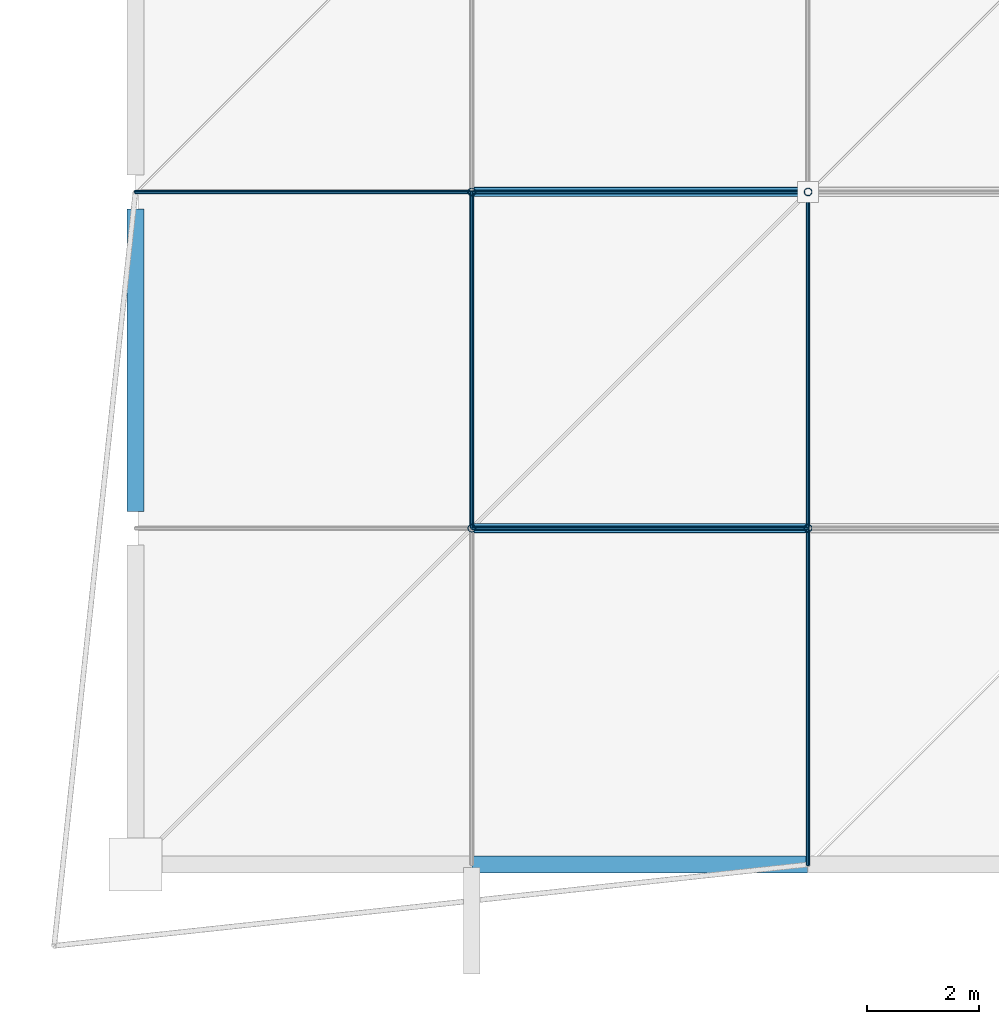
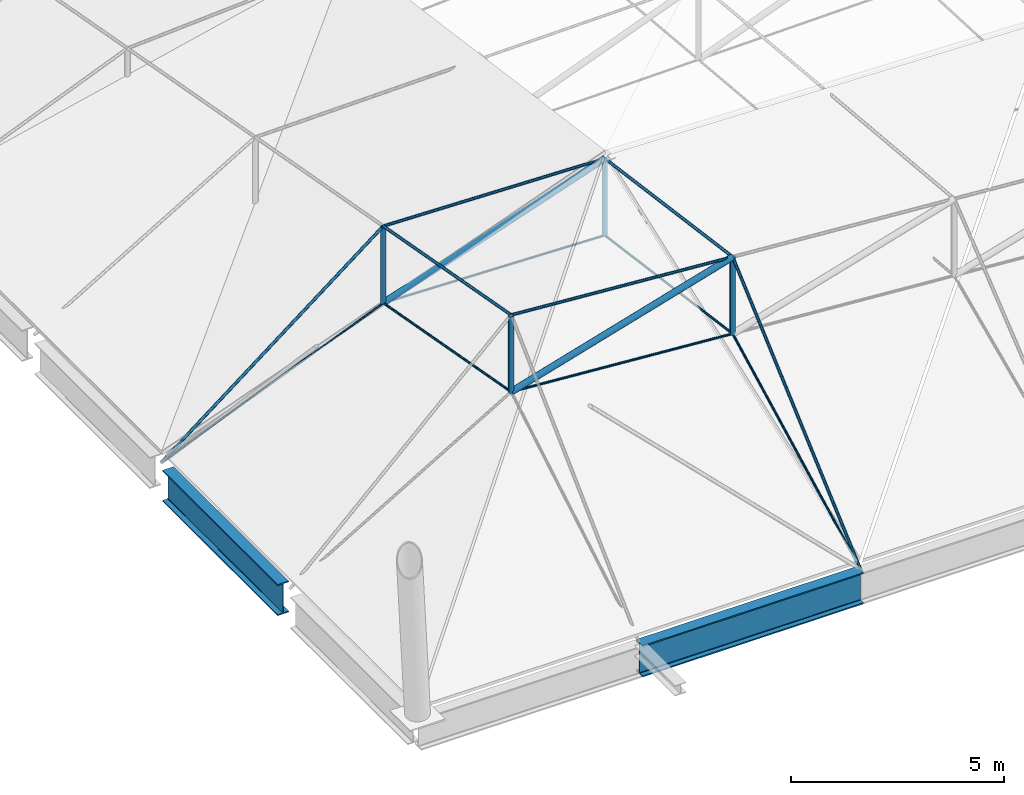
# One storey, part 20 of 132: 18 members, 2 beams.
"""IFC4 building model written with IfcOpenShell, lengths in metres."""

from ifc_helpers import new_model, si_unit, direction, frame, origin, origin_2d, place, context, subcontext, project, spatial, circle, hollow_circle, i_section, extrude, material, material_profile, profile_set, type_object, element, save


model = new_model("IFC4")

# Units and contexts
model_context = context("Model", 3, precision=1e-05, world=origin(), true_north=direction((0.0, 1.0)))
body_context = subcontext(model_context, "Body", "Model", "MODEL_VIEW")
ifc_project = project(units=[si_unit("LENGTHUNIT", "METRE"), si_unit("AREAUNIT", "SQUARE_METRE"), si_unit("VOLUMEUNIT", "CUBIC_METRE"), si_unit("PLANEANGLEUNIT", "RADIAN"), si_unit("MASSUNIT", "GRAM", prefix="KILO")], contexts=[model_context])

# Site, building, storey
site_placement = place(None, origin())
site = spatial("IfcSite", under=ifc_project, at=site_placement, CompositionType="ELEMENT")
building_placement = place(site_placement, origin())
building = spatial("IfcBuilding", under=site, at=building_placement, Name="Deido Ridge Mobility Hub", CompositionType="ELEMENT")
storey_placement = place(building_placement, frame((0.0, 0.0, 8.39990234375)))
storey = spatial("IfcBuildingStorey", under=building, at=storey_placement, Name="L02", CompositionType="ELEMENT", Elevation=8.39990234375)

# Beams
ifc_material_1 = material(Name="Steel S355J2 EN 10025-2", Category="steel")
ifc_material_profile_1 = material_profile(ifc_material_1, i_section(OverallWidth=0.300048828125, OverallDepth=0.89990234375, WebThickness=0.0185546875, FlangeThickness=0.034912109375, FilletRadius=0.027099609375, at=origin_2d()), Name="HEB 900")
ifc_profile_set_1 = profile_set([ifc_material_profile_1], Name="Steel S355J2 EN 10025-2")
beam_type = type_object("IfcBeamType", Name="BM-RING-HEB900", PredefinedType="USERDEFINED", material=ifc_profile_set_1)
beam_1_placement = place(storey_placement, frame((6.008056640625, 0.0, -0.449951171875), z_axis=(1.0, 0.0, 0.0), x_axis=(0.0, 1.0, 0.0)))
element("IfcBeam", 1, at=beam_1_placement, inside=storey, type_object=beam_type, Name="Compression ring beam RB1", ObjectType="RING BEAM", PredefinedType="USERDEFINED", context=body_context, shape_type="SweptSolid", body=[
    extrude(i_section(OverallWidth=0.300048828125, OverallDepth=0.89990234375, WebThickness=0.0185546875, FlangeThickness=0.034912109375, FilletRadius=0.027099609375, at=origin_2d()), origin(), (0.0, 0.0, 1.0), 5.98388671875),
])
beam_2_placement = place(storey_placement, frame((0.0, 6.300048828125, -0.449951171875), z_axis=(0.0, 1.0, 0.0), x_axis=(-1.0, 0.0, 0.0)))
element("IfcBeam", 2, at=beam_2_placement, inside=storey, type_object=beam_type, Name="Compression ring beam RB1", ObjectType="RING BEAM", PredefinedType="USERDEFINED", context=body_context, shape_type="SweptSolid", body=[
    extrude(i_section(OverallWidth=0.300048828125, OverallDepth=0.89990234375, WebThickness=0.0185546875, FlangeThickness=0.034912109375, FilletRadius=0.027099609375, at=origin_2d()), origin(), (0.0, 0.0, 1.0), 5.39990234375),
])

# Members
ifc_material_2 = material(Name="Steel S460M EN 10025-4", Category="steel")
ifc_material_profile_2 = material_profile(ifc_material_2, circle(Radius=0.030029296875, at=origin_2d()), Name="CABLE D60")
ifc_profile_set_2 = profile_set([ifc_material_profile_2], Name="Steel S460M EN 10025-4")
member_type_1 = type_object("IfcMemberType", Name="MEM-CBL-D60", PredefinedType="USERDEFINED", material=ifc_profile_set_2)
member_1_placement = place(storey_placement, frame((6.0, 6.0, 3.546875), z_axis=(0.997360957073, 0.0, -0.07260248829), x_axis=(0.0, 1.0, 0.0)))
element("IfcMember", 3, at=member_1_placement, inside=storey, type_object=member_type_1, Name="Saddle lower stabilizing cable CB3", ObjectType="TENSION CABLE", PredefinedType="USERDEFINED", context=body_context, shape_type="SweptSolid", body=[
    extrude(circle(Radius=0.030029296875, at=origin_2d()), origin(), (0.0, 0.0, 1.0), 6.015869140625),
])
member_2_placement = place(storey_placement, frame((0.0, 12.0, 0.0), z_axis=(0.925610537279, 0.0, 0.378477388066), x_axis=(0.0, 1.0, 0.0)))
element("IfcMember", 4, at=member_2_placement, inside=storey, type_object=member_type_1, Name="Saddle lower stabilizing cable CB3", ObjectType="TENSION CABLE", PredefinedType="USERDEFINED", context=body_context, shape_type="SweptSolid", body=[
    extrude(circle(Radius=0.030029296875, at=origin_2d()), origin(), (0.0, 0.0, 1.0), 6.482177734375),
])
member_3_placement = place(storey_placement, frame((6.0, 12.0, 2.453369140625), z_axis=(0.999629695867, 0.0, -0.027211599387), x_axis=(0.0, 1.0, 0.0)))
element("IfcMember", 5, at=member_3_placement, inside=storey, type_object=member_type_1, Name="Saddle lower stabilizing cable CB3", ObjectType="TENSION CABLE", PredefinedType="USERDEFINED", context=body_context, shape_type="SweptSolid", body=[
    extrude(circle(Radius=0.030029296875, at=origin_2d()), origin(), (0.0, 0.0, 1.0), 6.002197265625),
])
member_4_placement = place(storey_placement, frame((6.0, 6.0, 3.546875), z_axis=(0.0, 0.98379488627, -0.17929757876), x_axis=(-1.0, 0.0, 0.0)))
element("IfcMember", 6, at=member_4_placement, inside=storey, type_object=member_type_1, Name="Saddle transverse valley cable CB3", ObjectType="TENSION CABLE", PredefinedType="USERDEFINED", context=body_context, shape_type="SweptSolid", body=[
    extrude(circle(Radius=0.030029296875, at=origin_2d()), origin(), (0.0, 0.0, 1.0), 6.098876953125),
])
member_5_placement = place(storey_placement, frame((12.0, 0.0, 0.0), z_axis=(0.0, 0.887815214226, 0.460200114503), x_axis=(-1.0, 0.0, 0.0)))
element("IfcMember", 7, at=member_5_placement, inside=storey, type_object=member_type_1, Name="Saddle transverse valley cable CB3", ObjectType="TENSION CABLE", PredefinedType="USERDEFINED", context=body_context, shape_type="SweptSolid", body=[
    extrude(circle(Radius=0.030029296875, at=origin_2d()), origin(), (0.0, 0.0, 1.0), 6.758056640625),
])
member_6_placement = place(storey_placement, frame((12.0, 6.0, 3.110107421875), z_axis=(0.0, 0.990788415376, -0.135419038381), x_axis=(-1.0, 0.0, 0.0)))
element("IfcMember", 8, at=member_6_placement, inside=storey, type_object=member_type_1, Name="Saddle transverse valley cable CB3", ObjectType="TENSION CABLE", PredefinedType="USERDEFINED", context=body_context, shape_type="SweptSolid", body=[
    extrude(circle(Radius=0.030029296875, at=origin_2d()), origin(), (0.0, 0.0, 1.0), 6.0556640625),
])
ifc_material_profile_3 = material_profile(ifc_material_2, circle(Radius=0.0380859375, at=origin_2d()), Name="CABLE D76")
ifc_profile_set_3 = profile_set([ifc_material_profile_3], Name="Steel S460M EN 10025-4")
member_type_2 = type_object("IfcMemberType", Name="MEM-CBL-D76", PredefinedType="USERDEFINED", material=ifc_profile_set_3)
member_7_placement = place(storey_placement, frame((6.0, 6.0, 5.746826171875), z_axis=(0.997360957073, 0.0, -0.07260248829), x_axis=(0.0, 1.0, 0.0)))
element("IfcMember", 9, at=member_7_placement, inside=storey, type_object=member_type_2, Name="Saddle upper longitudinal cable CB2", ObjectType="TENSION CABLE", PredefinedType="USERDEFINED", context=body_context, shape_type="SweptSolid", body=[
    extrude(circle(Radius=0.0380859375, at=origin_2d()), origin(), (0.0, 0.0, 1.0), 6.015869140625),
])
member_8_placement = place(storey_placement, frame((0.0, 12.0, 0.0), z_axis=(0.790203276792, 0.0, 0.612844826483), x_axis=(0.0, 1.0, 0.0)))
element("IfcMember", 10, at=member_8_placement, inside=storey, type_object=member_type_2, Name="Saddle upper longitudinal cable CB2", ObjectType="TENSION CABLE", PredefinedType="USERDEFINED", context=body_context, shape_type="SweptSolid", body=[
    extrude(circle(Radius=0.0380859375, at=origin_2d()), origin(), (0.0, 0.0, 1.0), 7.593017578125),
])
member_9_placement = place(storey_placement, frame((6.0, 12.0, 4.6533203125), z_axis=(0.999629695867, 0.0, -0.027211599387), x_axis=(0.0, 1.0, 0.0)))
element("IfcMember", 11, at=member_9_placement, inside=storey, type_object=member_type_2, Name="Saddle upper longitudinal cable CB2", ObjectType="TENSION CABLE", PredefinedType="USERDEFINED", context=body_context, shape_type="SweptSolid", body=[
    extrude(circle(Radius=0.0380859375, at=origin_2d()), origin(), (0.0, 0.0, 1.0), 6.002197265625),
])
member_10_placement = place(storey_placement, frame((6.0, 6.0, 5.746826171875), z_axis=(0.0, 0.98379488627, -0.17929757876), x_axis=(-1.0, 0.0, 0.0)))
element("IfcMember", 12, at=member_10_placement, inside=storey, type_object=member_type_2, Name="Saddle transverse ridge cable CB2", ObjectType="TENSION CABLE", PredefinedType="USERDEFINED", context=body_context, shape_type="SweptSolid", body=[
    extrude(circle(Radius=0.0380859375, at=origin_2d()), origin(), (0.0, 0.0, 1.0), 6.098876953125),
])
member_11_placement = place(storey_placement, frame((12.0, 0.0, 0.0), z_axis=(0.0, 0.748849980961, 0.662739546138), x_axis=(-1.0, 0.0, 0.0)))
element("IfcMember", 13, at=member_11_placement, inside=storey, type_object=member_type_2, Name="Saddle transverse ridge cable CB2", ObjectType="TENSION CABLE", PredefinedType="USERDEFINED", context=body_context, shape_type="SweptSolid", body=[
    extrude(circle(Radius=0.0380859375, at=origin_2d()), origin(), (0.0, 0.0, 1.0), 8.01220703125),
])
member_12_placement = place(storey_placement, frame((12.0, 6.0, 5.31005859375), z_axis=(0.0, 0.990788415376, -0.135419038381), x_axis=(-1.0, 0.0, 0.0)))
element("IfcMember", 14, at=member_12_placement, inside=storey, type_object=member_type_2, Name="Saddle transverse ridge cable CB2", ObjectType="TENSION CABLE", PredefinedType="USERDEFINED", context=body_context, shape_type="SweptSolid", body=[
    extrude(circle(Radius=0.0380859375, at=origin_2d()), origin(), (0.0, 0.0, 1.0), 6.0556640625),
])
ifc_material_3 = material(Name="Steel S355J2H EN 10210-1", Category="steel")
ifc_material_profile_4 = material_profile(ifc_material_3, hollow_circle(Radius=0.06982421875, WallThickness=0.00634765625, at=origin_2d()), Name="CHS 139.7x6.3")
ifc_profile_set_4 = profile_set([ifc_material_profile_4], Name="Steel S355J2H EN 10210-1")
member_type_3 = type_object("IfcMemberType", Name="MEM-STR-CHS140", PredefinedType="STRUT", material=ifc_profile_set_4)
for number, where, z_axis, x_axis, name in (
    (15, (6.0, 6.0, 3.546875), (0.0, 0.0, 1.0), (1.0, 0.0, 0.0), "Cable-net vertical spreader strut SR2"),
    (16, (6.0, 12.0, 2.453369140625), (0.0, 0.0, 1.0), (1.0, 0.0, 0.0), "Cable-net vertical spreader strut SR2"),
    (17, (12.0, 6.0, 3.110107421875), (0.0, 0.0, 1.0), (1.0, 0.0, 0.0), "Cable-net vertical spreader strut SR2"),
    (18, (12.0, 12.0, 2.2900390625), (0.0, 0.0, 1.0), (1.0, 0.0, 0.0), "Cable-net vertical spreader strut SR2"),
):
    element("IfcMember", number, at=place(storey_placement, frame(where, z_axis=z_axis, x_axis=x_axis)), inside=storey, type_object=member_type_3, Name=name, PredefinedType="STRUT", context=body_context, shape_type="SweptSolid", body=[
        extrude(hollow_circle(Radius=0.06982421875, WallThickness=0.00634765625, at=origin_2d()), origin(), (0.0, 0.0, 1.0), 2.199951171875),
    ])
ifc_material_profile_5 = material_profile(ifc_material_3, hollow_circle(Radius=0.084228515625, WallThickness=0.008056640625, at=origin_2d()), Name="CHS 168.3x8")
ifc_profile_set_5 = profile_set([ifc_material_profile_5], Name="Steel S355J2H EN 10210-1")
member_type_4 = type_object("IfcMemberType", Name="MEM-STR-CHS168", PredefinedType="STRUT", material=ifc_profile_set_5)
member_13_placement = place(storey_placement, frame((6.0, 6.0, 3.546875), z_axis=(0.959431369876, 0.0, 0.281942275116), x_axis=(0.0, 1.0, 0.0)))
element("IfcMember", 19, at=member_13_placement, inside=storey, type_object=member_type_4, Name="Saddle diagonal web strut SR1", PredefinedType="STRUT", context=body_context, shape_type="SweptSolid", body=[
    extrude(hollow_circle(Radius=0.084228515625, WallThickness=0.008056640625, at=origin_2d()), origin(), (0.0, 0.0, 1.0), 6.253662109375),
])
member_14_placement = place(storey_placement, frame((6.0, 12.0, 2.453369140625), z_axis=(0.946935147416, 0.0, 0.321424682607), x_axis=(0.0, 1.0, 0.0)))
element("IfcMember", 20, at=member_14_placement, inside=storey, type_object=member_type_4, Name="Saddle diagonal web strut SR1", PredefinedType="STRUT", context=body_context, shape_type="SweptSolid", body=[
    extrude(hollow_circle(Radius=0.084228515625, WallThickness=0.008056640625, at=origin_2d()), origin(), (0.0, 0.0, 1.0), 6.336181640625),
])

save(model, "model.ifc")
